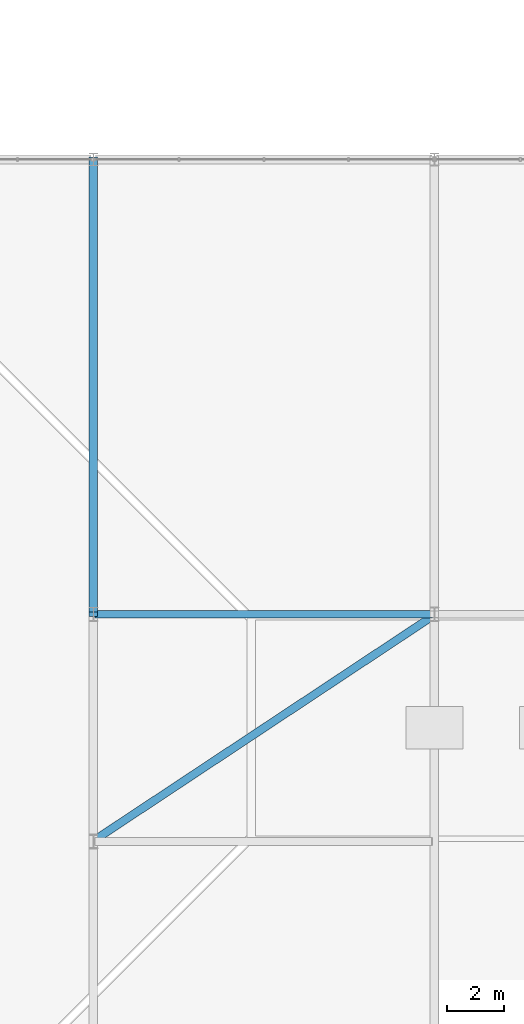
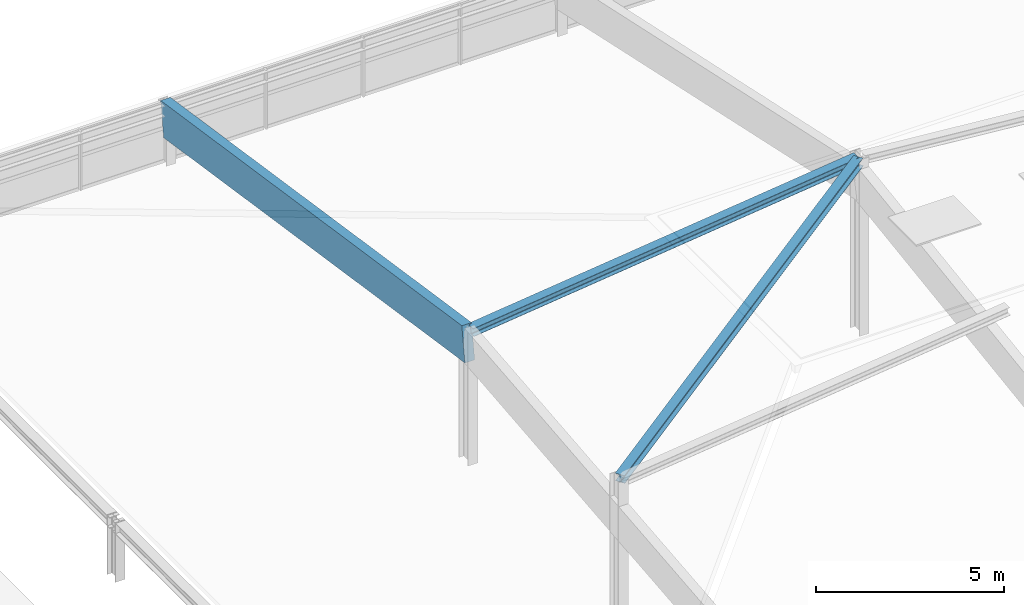
# One storey, part 45 of 80: 3 beams.
"""IFC4 building model written with IfcOpenShell, lengths in metres."""

from ifc_helpers import new_model, si_unit, direction, frame, origin, origin_2d, place, context, subcontext, project, spatial, rectangle, i_section, extrude, material, material_profile, profile_set, type_object, element, save


model = new_model("IFC4")

# Units and contexts
model_context = context("Model", 3, precision=1e-05, world=origin(), true_north=direction((0.0, 1.0)))
body_context = subcontext(model_context, "Body", "Model", "MODEL_VIEW")
ifc_project = project(units=[si_unit("LENGTHUNIT", "METRE"), si_unit("AREAUNIT", "SQUARE_METRE"), si_unit("VOLUMEUNIT", "CUBIC_METRE"), si_unit("PLANEANGLEUNIT", "RADIAN"), si_unit("MASSUNIT", "GRAM", prefix="KILO"), si_unit("THERMODYNAMICTEMPERATUREUNIT", "KELVIN"), si_unit("POWERUNIT", "WATT")], contexts=[model_context])

# Site, building, storey
site_placement = place(None, origin())
site = spatial("IfcSite", under=ifc_project, at=site_placement, CompositionType="ELEMENT")
building_placement = place(site_placement, origin())
building = spatial("IfcBuilding", under=site, at=building_placement, Name="Solmara Park Aquatics Centre", CompositionType="ELEMENT")
storey_placement = place(building_placement, frame((0.0, 0.0, 22.800048828125)))
storey = spatial("IfcBuildingStorey", under=building, at=storey_placement, Name="RF", CompositionType="ELEMENT", Elevation=22.800048828125)

# Beams
ifc_material_1 = material(Name="Glulam Timber GL28h", Category="wood")
ifc_material_profile_1 = material_profile(ifc_material_1, rectangle(XDim=0.300048828125, YDim=1.1201171875, at=origin_2d()), Name="GL28h 300x1120")
ifc_profile_set_1 = profile_set([ifc_material_profile_1], Name="Glulam Timber GL28h")
beam_type_1 = type_object("IfcBeamType", Name="STR-BM-GL300x1120", PredefinedType="BEAM", material=ifc_profile_set_1)
beam_1_placement = place(storey_placement, frame((120.0, 52.60009765625, -7.0), z_axis=(0.0, -0.988937238327, 0.148334549755), x_axis=(1.0, 0.0, 0.0)))
element("IfcBeam", 1, at=beam_1_placement, inside=storey, type_object=beam_type_1, Name="Diving Roof Glulam Portal Girder N-120", PredefinedType="BEAM", context=body_context, shape_type="SweptSolid", body=[
    extrude(rectangle(XDim=0.300048828125, YDim=1.1201171875, at=origin_2d()), origin(), (0.0, 0.0, 1.0), 16.178955078125),
])
ifc_material_2 = material(Name="Structural Steel S355", Category="steel")
ifc_material_profile_2 = material_profile(ifc_material_2, i_section(OverallWidth=0.280029296875, OverallDepth=0.27001953125, WebThickness=0.008056640625, FlangeThickness=0.012939453125, FilletRadius=0.02392578125, at=origin_2d()), Name="HEA 280")
ifc_profile_set_2 = profile_set([ifc_material_profile_2], Name="Structural Steel S355")
beam_type_2 = type_object("IfcBeamType", Name="STR-BM-HEA280", PredefinedType="BEAM", material=ifc_profile_set_2)
beam_2_placement = place(storey_placement, frame((120.080078125, 36.60009765625, -4.219970703125), z_axis=(0.99308250389, 0.0, 0.117418654679), x_axis=(0.0, 1.0, 0.0)))
element("IfcBeam", 2, at=beam_2_placement, inside=storey, type_object=beam_type_2, Name="Diving Crown Ridge Girder 120", PredefinedType="BEAM", context=body_context, shape_type="SweptSolid", body=[
    extrude(i_section(OverallWidth=0.280029296875, OverallDepth=0.27001953125, WebThickness=0.008056640625, FlangeThickness=0.012939453125, FilletRadius=0.02392578125, at=origin_2d()), origin(), (0.0, 0.0, 1.0), 11.92236328125),
])
beam_3_placement = place(storey_placement, frame((120.080078125, 28.679931640625, -4.219970703125), z_axis=(0.829751234347, 0.549443281685, 0.098106927948), x_axis=(-0.552106711113, 0.833773458167, 0.0)))
element("IfcBeam", 3, at=beam_3_placement, inside=storey, type_object=beam_type_2, Name="Diving Crown Diagonal Carrier Girder", PredefinedType="BEAM", context=body_context, shape_type="SweptSolid", body=[
    extrude(i_section(OverallWidth=0.280029296875, OverallDepth=0.27001953125, WebThickness=0.008056640625, FlangeThickness=0.012939453125, FilletRadius=0.02392578125, at=origin_2d()), origin(), (0.0, 0.0, 1.0), 14.26904296875),
])

save(model, "model.ifc")
